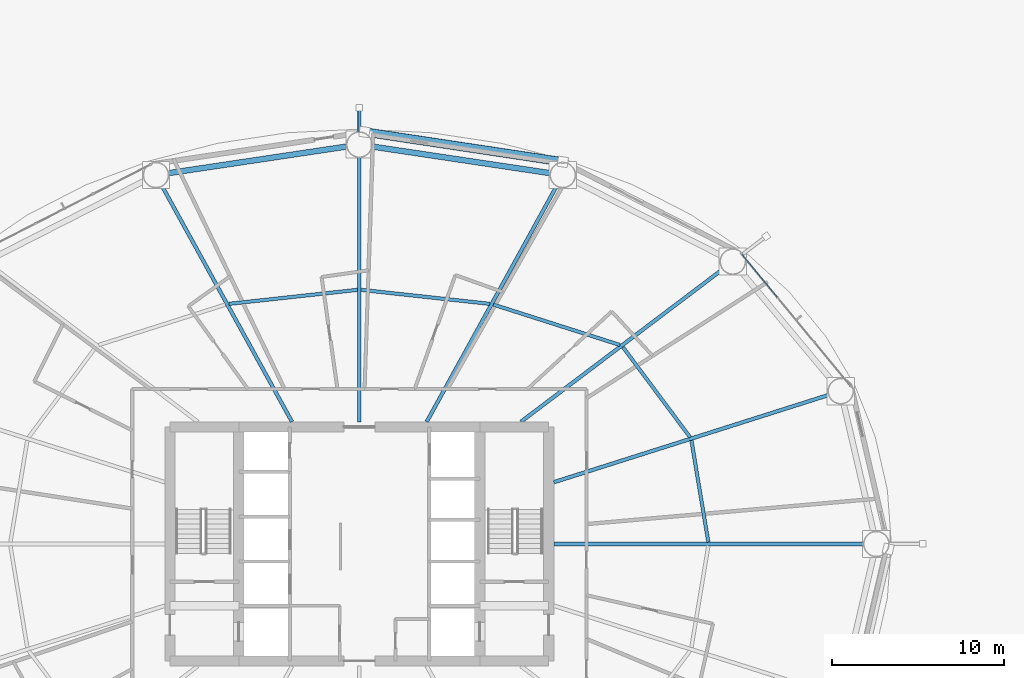
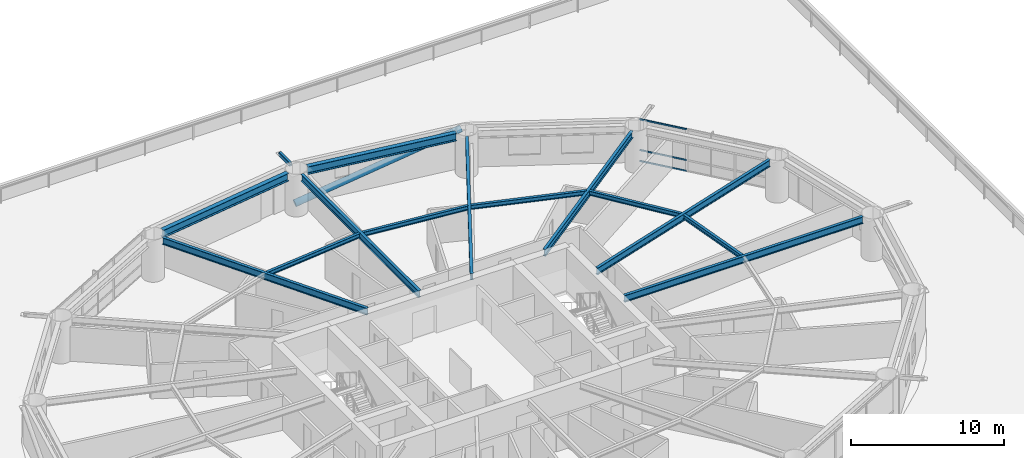
# One storey, part 11 of 30: 13 beams, 5 members, 1 element without a shape of its own.
"""IFC4 building model written with IfcOpenShell, lengths in metres."""

from ifc_helpers import new_model, si_unit, direction, frame, origin, origin_2d, place, context, subcontext, project, spatial, hollow_rectangle, hollow_circle, i_section, extrude, material, layer, layer_set, material_profile, profile_set, type_object, element, aggregate, save


model = new_model("IFC4")

# Units and contexts
model_context = context("Model", 3, precision=1e-05, world=origin(), true_north=direction((0.0, 1.0)))
body_context = subcontext(model_context, "Body", "Model", "MODEL_VIEW")
ifc_project = project(units=[si_unit("LENGTHUNIT", "METRE"), si_unit("AREAUNIT", "SQUARE_METRE"), si_unit("VOLUMEUNIT", "CUBIC_METRE"), si_unit("PLANEANGLEUNIT", "RADIAN"), si_unit("MASSUNIT", "GRAM", prefix="KILO")], contexts=[model_context])

# Site, building, storey
site_placement = place(None, origin())
site = spatial("IfcSite", under=ifc_project, at=site_placement, CompositionType="ELEMENT")
building_placement = place(site_placement, origin())
building = spatial("IfcBuilding", under=site, at=building_placement, Name="Sarneth Arch Tower", CompositionType="ELEMENT")
storey_placement = place(building_placement, frame((0.0, 0.0, 28.199951171875)))
storey = spatial("IfcBuildingStorey", under=building, at=storey_placement, Name="L05", CompositionType="ELEMENT", Elevation=28.199951171875)

# Beams
ifc_material_1 = material(Name="Steel S355", Category="steel")
ifc_material_profile_1 = material_profile(ifc_material_1, i_section(OverallWidth=0.202880859375, OverallDepth=0.346923828125, WebThickness=0.0078125, FlangeThickness=0.013427734375, FilletRadius=0.014892578125, at=origin_2d()), Name="W360x64")
ifc_profile_set_1 = profile_set([ifc_material_profile_1], Name="Steel S355")
beam_type_1 = type_object("IfcBeamType", Name="BM-JOIST-360C", PredefinedType="JOIST", material=ifc_profile_set_1)
beam_1_placement = place(storey_placement, frame((68.27490234375, 42.10546875, 3.20654296875), z_axis=(-0.16394288124, 0.986469833138, 0.0), x_axis=(-0.986469833138, -0.16394288124, 0.0)))
element("IfcBeam", 1, at=beam_1_placement, inside=storey, type_object=beam_type_1, Name="L05 Secondary floor joist 01", PredefinedType="JOIST", context=body_context, shape_type="SweptSolid", body=[
    extrude(i_section(OverallWidth=0.202880859375, OverallDepth=0.346923828125, WebThickness=0.0078125, FlangeThickness=0.013427734375, FilletRadius=0.014892578125, at=origin_2d()), origin(), (0.0, 0.0, 1.0), 5.989501953125),
])
beam_2_placement = place(storey_placement, frame((67.21142578125, 48.205078125, 3.20654296875), z_axis=(-0.597700490469, 0.801719479428, 0.0), x_axis=(-0.801719479428, -0.597700490469, 0.0)))
element("IfcBeam", 2, at=beam_2_placement, inside=storey, type_object=beam_type_1, Name="L05 Secondary floor joist 02", PredefinedType="JOIST", context=body_context, shape_type="SweptSolid", body=[
    extrude(i_section(OverallWidth=0.202880859375, OverallDepth=0.346923828125, WebThickness=0.0078125, FlangeThickness=0.013427734375, FilletRadius=0.014892578125, at=origin_2d()), origin(), (0.0, 0.0, 1.0), 6.5302734375),
])
beam_3_placement = place(storey_placement, frame((63.142333984375, 53.558837890625, 3.20654296875), z_axis=(-0.95266836992, 0.304011475036, 0.0), x_axis=(-0.304011475036, -0.95266836992, 0.0)))
element("IfcBeam", 3, at=beam_3_placement, inside=storey, type_object=beam_type_1, Name="L05 Secondary floor joist 03", PredefinedType="JOIST", context=body_context, shape_type="SweptSolid", body=[
    extrude(i_section(OverallWidth=0.202880859375, OverallDepth=0.346923828125, WebThickness=0.0078125, FlangeThickness=0.013427734375, FilletRadius=0.014892578125, at=origin_2d()), origin(), (0.0, 0.0, 1.0), 7.720703125),
])
for number, where, z_axis, x_axis, name in (
    (4, (55.578857421875, 55.9501953125, 3.20654296875), (-0.994129966112, 0.108192469602, 0.0), (-0.108192469602, -0.994129966112, 0.0), "L05 Secondary floor joist 04"),
    (5, (47.8935546875, 56.763427734375, 3.20654296875), (-0.994129966112, -0.108192469602, 0.0), (0.108192469602, -0.994129966112, 0.0), "L05 Secondary floor joist 05"),
):
    element("IfcBeam", number, at=place(storey_placement, frame(where, z_axis=z_axis, x_axis=x_axis)), inside=storey, type_object=beam_type_1, Name=name, PredefinedType="JOIST", context=body_context, shape_type="SweptSolid", body=[
        extrude(i_section(OverallWidth=0.202880859375, OverallDepth=0.346923828125, WebThickness=0.0078125, FlangeThickness=0.013427734375, FilletRadius=0.014892578125, at=origin_2d()), origin(), (0.0, 0.0, 1.0), 7.5166015625),
    ])
ifc_material_2 = material(Name="Steel S355", Category="steel")
ifc_material_profile_2 = material_profile(ifc_material_2, i_section(OverallWidth=0.214111328125, OverallDepth=0.549072265625, WebThickness=0.0146484375, FlangeThickness=0.023681640625, FilletRadius=0.01806640625, at=origin_2d()), Name="W530x138")
ifc_profile_set_2 = profile_set([ifc_material_profile_2], Name="Steel S355")
beam_type_2 = type_object("IfcBeamType", Name="BM-RAD-530A", PredefinedType="BEAM", material=ifc_profile_set_2)
beam_4_placement = place(storey_placement, frame((59.300048828125, 42.0, 3.10546875), z_axis=(1.0, 0.0, 0.0), x_axis=(0.0, 1.0, 0.0)))
element("IfcBeam", 6, at=beam_4_placement, inside=storey, type_object=beam_type_2, Name="L05 Radial floor girder 01", PredefinedType="BEAM", context=body_context, shape_type="SweptSolid", body=[
    extrude(i_section(OverallWidth=0.214111328125, OverallDepth=0.549072265625, WebThickness=0.0146484375, FlangeThickness=0.023681640625, FilletRadius=0.01806640625, at=origin_2d()), origin(), (0.0, 0.0, 1.0), 17.98486328125),
])
beam_5_placement = place(storey_placement, frame((59.300048828125, 45.58740234375, 3.10546875), z_axis=(0.953119859464, 0.30259301627, 0.0), x_axis=(-0.30259301627, 0.953119859464, 0.0)))
element("IfcBeam", 7, at=beam_5_placement, inside=storey, type_object=beam_type_2, Name="L05 Radial floor girder 02", PredefinedType="BEAM", context=body_context, shape_type="SweptSolid", body=[
    extrude(i_section(OverallWidth=0.214111328125, OverallDepth=0.549072265625, WebThickness=0.0146484375, FlangeThickness=0.023681640625, FilletRadius=0.01806640625, at=origin_2d()), origin(), (0.0, 0.0, 1.0), 16.7353515625),
])
beam_6_placement = place(storey_placement, frame((57.390380859375, 49.10009765625, 3.10546875), z_axis=(0.79765464731, 0.603114469753, 0.0), x_axis=(-0.603114469753, 0.79765464731, 0.0)))
element("IfcBeam", 8, at=beam_6_placement, inside=storey, type_object=beam_type_2, Name="L05 Radial floor girder 03", PredefinedType="BEAM", context=body_context, shape_type="SweptSolid", body=[
    extrude(i_section(OverallWidth=0.214111328125, OverallDepth=0.549072265625, WebThickness=0.0146484375, FlangeThickness=0.023681640625, FilletRadius=0.01806640625, at=origin_2d()), origin(), (0.0, 0.0, 1.0), 14.677978515625),
])
beam_7_placement = place(storey_placement, frame((51.91455078125, 49.10009765625, 3.10546875), z_axis=(0.482841370957, 0.875707833979, 0.0), x_axis=(-0.875707833979, 0.482841370957, 0.0)))
element("IfcBeam", 9, at=beam_7_placement, inside=storey, type_object=beam_type_2, Name="L05 Radial floor girder 04", PredefinedType="BEAM", context=body_context, shape_type="SweptSolid", body=[
    extrude(i_section(OverallWidth=0.214111328125, OverallDepth=0.549072265625, WebThickness=0.0146484375, FlangeThickness=0.023681640625, FilletRadius=0.01806640625, at=origin_2d()), origin(), (0.0, 0.0, 1.0), 15.618408203125),
])
beam_8_placement = place(storey_placement, frame((48.0, 49.10009765625, 3.10546875), z_axis=(0.0, 1.0, 0.0), x_axis=(-1.0, 0.0, 0.0)))
element("IfcBeam", 10, at=beam_8_placement, inside=storey, type_object=beam_type_2, Name="L05 Radial floor girder 05", PredefinedType="BEAM", context=body_context, shape_type="SweptSolid", body=[
    extrude(i_section(OverallWidth=0.214111328125, OverallDepth=0.549072265625, WebThickness=0.0146484375, FlangeThickness=0.023681640625, FilletRadius=0.01806640625, at=origin_2d()), origin(), (0.0, 0.0, 1.0), 15.349853515625),
])
beam_9_placement = place(storey_placement, frame((44.08544921875, 49.10009765625, 3.10546875), z_axis=(-0.482841370957, 0.875707833979, 0.0), x_axis=(-0.875707833979, -0.482841370957, 0.0)))
element("IfcBeam", 11, at=beam_9_placement, inside=storey, type_object=beam_type_2, Name="L05 Radial floor girder 06", PredefinedType="BEAM", context=body_context, shape_type="SweptSolid", body=[
    extrude(i_section(OverallWidth=0.214111328125, OverallDepth=0.549072265625, WebThickness=0.0146484375, FlangeThickness=0.023681640625, FilletRadius=0.01806640625, at=origin_2d()), origin(), (0.0, 0.0, 1.0), 15.618408203125),
])
ifc_material_3 = material(Name="Steel S355", Category="steel")
ifc_material_profile_3 = material_profile(ifc_material_3, i_section(OverallWidth=0.326904296875, OverallDepth=0.6220703125, WebThickness=0.015380859375, FlangeThickness=0.0244140625, FilletRadius=0.01904296875, at=origin_2d()), Name="W610x195")
ifc_profile_set_3 = profile_set([ifc_material_profile_3], Name="Steel S355")
beam_type_3 = type_object("IfcBeamType", Name="BM-SPAN-610A", PredefinedType="SPANDREL", material=ifc_profile_set_3)
for number, where, z_axis, x_axis, name in (
    (12, (59.076171875, 63.544921875, 3.069091796875), (-0.989020169581, 0.147780594675, 0.0), (-0.147780594675, -0.989020169581, 0.0), "L05 Perimeter spandrel beam 04"),
    (13, (47.25830078125, 65.089111328125, 3.069091796875), (-0.989020169581, -0.147780594675, 0.0), (0.147780594675, -0.989020169581, 0.0), "L05 Perimeter spandrel beam 05"),
):
    element("IfcBeam", number, at=place(storey_placement, frame(where, z_axis=z_axis, x_axis=x_axis)), inside=storey, type_object=beam_type_3, Name=name, PredefinedType="SPANDREL", context=body_context, shape_type="SweptSolid", body=[
        extrude(i_section(OverallWidth=0.326904296875, OverallDepth=0.6220703125, WebThickness=0.015380859375, FlangeThickness=0.0244140625, FilletRadius=0.01904296875, at=origin_2d()), origin(), (0.0, 0.0, 1.0), 10.44921875),
    ])

# Curtain wall, members
ifc_material_4 = material(Name="Anodised aluminium Type AA25 and solar-control low-e laminated IGU", Category="aluminium")
ifc_layer = layer(ifc_material_4, 0.159912109375)
ifc_layer_set = layer_set([ifc_layer], Name="Anodised aluminium Type AA25 and solar-control low-e laminated IGU")
curtain_wall_type = type_object("IfcCurtainWallType", Name="CW-HOTEL-LOW", PredefinedType="NOTDEFINED", material=ifc_layer_set)
curtain_wall_placement = place(storey_placement, origin())
curtain_wall = element("IfcCurtainWall", 14, at=curtain_wall_placement, inside=storey, type_object=curtain_wall_type, Name="L05 Unitised curtain wall facet 02", PredefinedType="NOTDEFINED")
ifc_material_5 = material(Name="Anodised Aluminium 6063-T6", Category="aluminium")
ifc_material_profile_4 = material_profile(ifc_material_5, hollow_rectangle(XDim=0.06005859375, YDim=0.1201171875, WallThickness=0.00390625, at=origin_2d()), Name="AL-TRAN-120x60x4")
ifc_profile_set_4 = profile_set([ifc_material_profile_4], Name="Anodised Aluminium 6063-T6")
member_type_1 = type_object("IfcMemberType", Name="CW-TRANSOM", PredefinedType="USERDEFINED", material=ifc_profile_set_4)
member_1_placement = place(storey_placement, frame((72.29052734375, 56.326416015625, 0.030029296875), z_axis=(-0.637285736625, 0.770627594817, 0.0), x_axis=(-0.770627594817, -0.637285736625, 0.0)))
member_1 = element("IfcMember", 15, at=member_1_placement, type_object=member_type_1, Name="CW-SYS-3 transom 3.1", ObjectType="TRANSOM", PredefinedType="USERDEFINED", context=body_context, shape_type="SweptSolid", body=[
    extrude(hollow_rectangle(XDim=0.06005859375, YDim=0.1201171875, WallThickness=0.00390625, at=origin_2d()), origin(), (0.0, 0.0, 1.0), 3.260986328125),
])
member_2_placement = place(storey_placement, frame((72.29052734375, 56.326416015625, 0.900146484375), z_axis=(-0.637285736625, 0.770627594817, 0.0), x_axis=(-0.770627594817, -0.637285736625, 0.0)))
member_2 = element("IfcMember", 16, at=member_2_placement, type_object=member_type_1, Name="CW-SYS-3 transom 3.2", ObjectType="TRANSOM", PredefinedType="USERDEFINED", context=body_context, shape_type="SweptSolid", body=[
    extrude(hollow_rectangle(XDim=0.06005859375, YDim=0.1201171875, WallThickness=0.00390625, at=origin_2d()), origin(), (0.0, 0.0, 1.0), 3.260986328125),
])
member_3_placement = place(storey_placement, frame((72.29052734375, 56.326416015625, 3.35009765625), z_axis=(-0.637285736625, 0.770627594817, 0.0), x_axis=(-0.770627594817, -0.637285736625, 0.0)))
member_3 = element("IfcMember", 17, at=member_3_placement, type_object=member_type_1, Name="CW-SYS-3 transom 3.3", ObjectType="TRANSOM", PredefinedType="USERDEFINED", context=body_context, shape_type="SweptSolid", body=[
    extrude(hollow_rectangle(XDim=0.06005859375, YDim=0.1201171875, WallThickness=0.00390625, at=origin_2d()), origin(), (0.0, 0.0, 1.0), 3.260986328125),
])
aggregate(curtain_wall, [member_1, member_2, member_3])

# Members
ifc_material_6 = material(Name="Steel S355", Category="steel")
ifc_material_profile_5 = material_profile(ifc_material_6, hollow_rectangle(XDim=0.199951171875, YDim=0.300048828125, WallThickness=0.012451171875, InnerFilletRadius=0.018798828125, OuterFilletRadius=0.03125, at=origin_2d()), Name="RHS300x200x12.5")
ifc_profile_set_5 = profile_set([ifc_material_profile_5], Name="Steel S355")
member_type_2 = type_object("IfcMemberType", Name="MEM-CANT-STRUT", PredefinedType="STRUT", material=ifc_profile_set_5)
member_4_placement = place(storey_placement, frame((48.0, 65.949951171875, 3.219970703125), z_axis=(0.0, 1.0, 0.0), x_axis=(-1.0, 0.0, 0.0)))
element("IfcMember", 18, at=member_4_placement, inside=storey, type_object=member_type_2, Name="L05 Balcony cantilever bracket 05", PredefinedType="STRUT", context=body_context, shape_type="SweptSolid", body=[
    extrude(hollow_rectangle(XDim=0.199951171875, YDim=0.300048828125, WallThickness=0.012451171875, InnerFilletRadius=0.018798828125, OuterFilletRadius=0.03125, at=origin_2d()), origin(), (0.0, 0.0, 1.0), 1.400146484375),
])
ifc_material_7 = material(Name="Steel S355", Category="steel")
ifc_material_profile_6 = material_profile(ifc_material_7, hollow_circle(Radius=0.25390625, WallThickness=0.01611328125, at=origin_2d()), Name="CHS508x16")
ifc_profile_set_6 = profile_set([ifc_material_profile_6], Name="Steel S355")
member_type_3 = type_object("IfcMemberType", Name="MEM-DIAG-BR1", PredefinedType="BRACE", material=ifc_profile_set_6)
member_5_placement = place(storey_placement, frame((48.296630859375, 65.935302734375, 0.02001953125), z_axis=(0.957875899759, -0.144316613483, 0.248287083301), x_axis=(0.1489817545, 0.988839944999, 0.0)))
element("IfcMember", 19, at=member_5_placement, inside=storey, type_object=member_type_3, Name="L05 Perimeter frame diagonal 04", PredefinedType="BRACE", context=body_context, shape_type="SweptSolid", body=[
    extrude(hollow_circle(Radius=0.25390625, WallThickness=0.01611328125, at=origin_2d()), origin(), (0.0, 0.0, 1.0), 12.02978515625),
])

save(model, "model.ifc")
